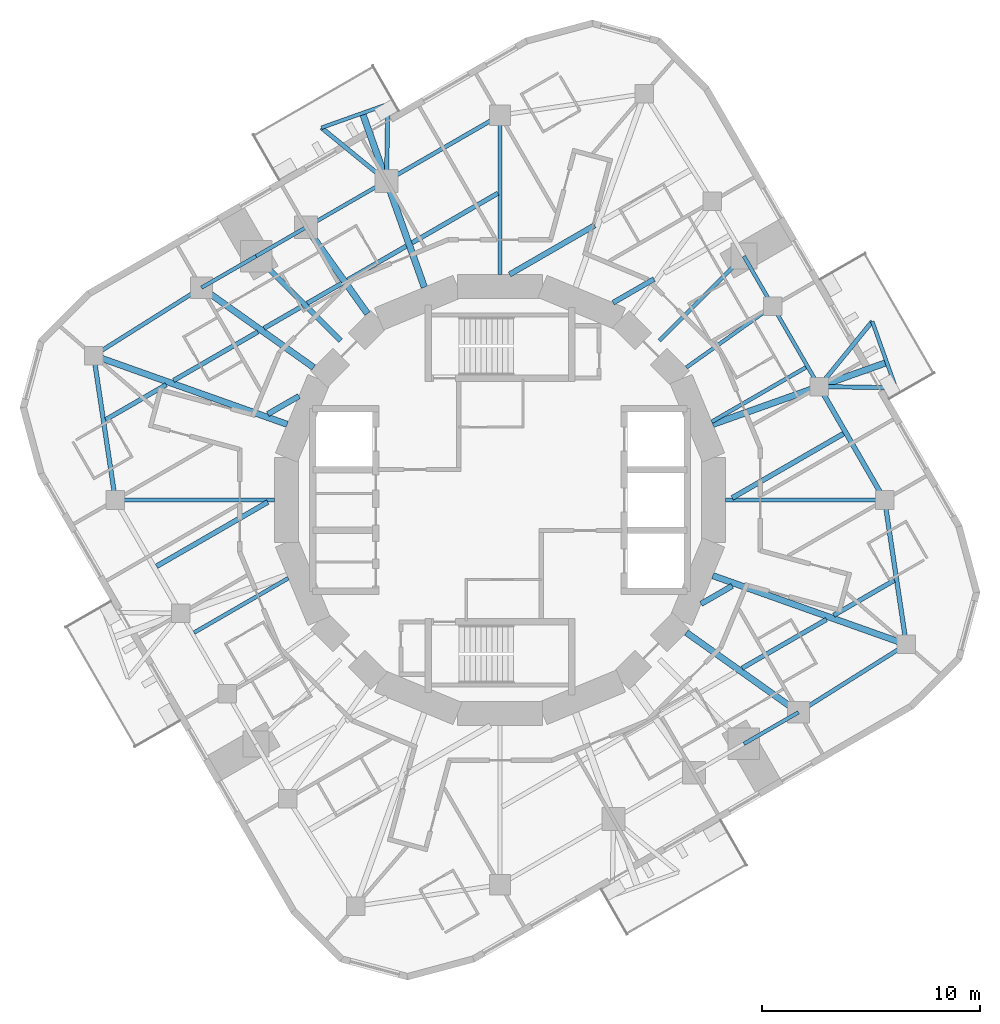
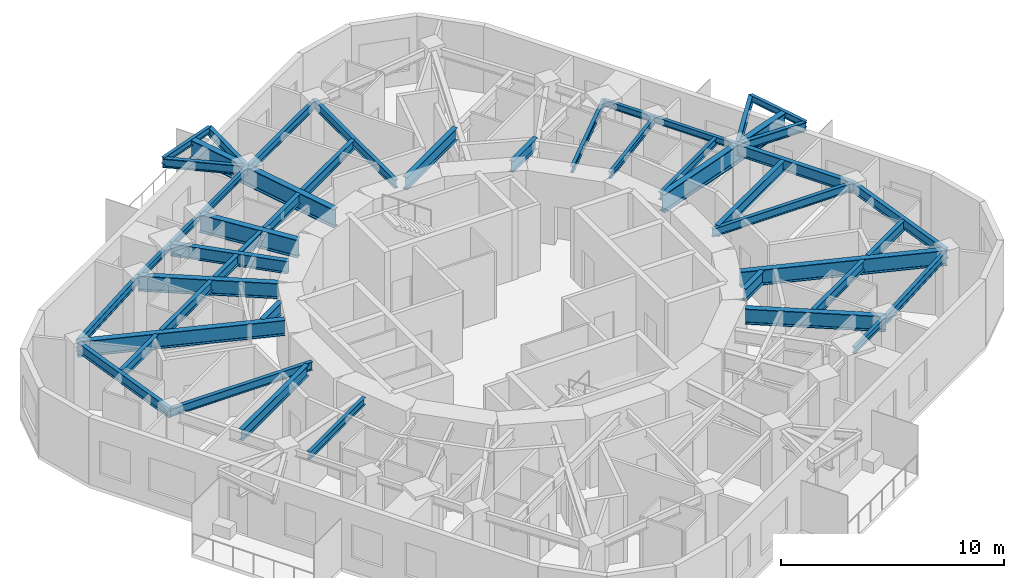
# One storey, part 2 of 11: 47 beams.
"""IFC4 building model written with IfcOpenShell, lengths in metres."""

from ifc_helpers import new_model, si_unit, direction, frame, origin, origin_2d, place, context, subcontext, project, spatial, i_section, extrude, material, material_profile, profile_set, type_object, element, save


model = new_model("IFC4")

# Units and contexts
model_context = context("Model", 3, precision=1e-05, world=origin(), true_north=direction((0.0, 1.0)))
body_context = subcontext(model_context, "Body", "Model", "MODEL_VIEW")
ifc_project = project(units=[si_unit("LENGTHUNIT", "METRE"), si_unit("AREAUNIT", "SQUARE_METRE"), si_unit("VOLUMEUNIT", "CUBIC_METRE"), si_unit("PLANEANGLEUNIT", "RADIAN"), si_unit("MASSUNIT", "GRAM", prefix="KILO")], contexts=[model_context])

# Site, building, storey
site_placement = place(None, origin())
site = spatial("IfcSite", under=ifc_project, at=site_placement, CompositionType="ELEMENT")
building_placement = place(site_placement, origin())
building = spatial("IfcBuilding", under=site, at=building_placement, Name="Nakasero Lantern House", CompositionType="ELEMENT")
storey_placement = place(building_placement, frame((0.0, 0.0, 234.64990234375)))
storey = spatial("IfcBuildingStorey", under=building, at=storey_placement, Name="L57", CompositionType="ELEMENT", Elevation=234.64990234375)

# Beams
ifc_material_1 = material(Name="Steel S355", Category="steel")
ifc_material_profile_1 = material_profile(ifc_material_1, i_section(OverallWidth=0.199462890625, OverallDepth=0.491943359375, WebThickness=0.01806640625, FlangeThickness=0.031982421875, FilletRadius=0.01025390625, at=origin_2d()), Name="UB 457x191x161")
ifc_profile_set_1 = profile_set([ifc_material_profile_1], Name="Steel S355")
beam_type_1 = type_object("IfcBeamType", Name="Balcony splay beam UB 457x191x161", PredefinedType="BEAM", material=ifc_profile_set_1)
beam_1_placement = place(storey_placement, frame((14.657958984375, 5.211669921875, 3.404052734375), z_axis=(0.632127727159, 0.774864205236, 0.0), x_axis=(-0.774864205236, 0.632127727159, 0.0)))
element("IfcBeam", 1, at=beam_1_placement, inside=storey, type_object=beam_type_1, Name="Balcony splay beam L58 B6-C04A", PredefinedType="BEAM", context=body_context, shape_type="SweptSolid", body=[
    extrude(i_section(OverallWidth=0.199462890625, OverallDepth=0.491943359375, WebThickness=0.01806640625, FlangeThickness=0.031982421875, FilletRadius=0.01025390625, at=origin_2d()), origin(), (0.0, 0.0, 1.0), 3.858642578125),
])
beam_2_placement = place(storey_placement, frame((14.657958984375, 5.211669921875, 3.404052734375), z_axis=(0.99985827803, -0.016835196893, 0.0), x_axis=(0.016835196893, 0.99985827803, 0.0)))
element("IfcBeam", 2, at=beam_2_placement, inside=storey, type_object=beam_type_1, Name="Balcony splay beam L58 B6-C04B", PredefinedType="BEAM", context=body_context, shape_type="SweptSolid", body=[
    extrude(i_section(OverallWidth=0.199462890625, OverallDepth=0.491943359375, WebThickness=0.01806640625, FlangeThickness=0.031982421875, FilletRadius=0.01025390625, at=origin_2d()), origin(), (0.0, 0.0, 1.0), 3.52392578125),
])
beam_3_placement = place(storey_placement, frame((-5.211669921875, 14.657958984375, 3.404052734375), z_axis=(-0.774864205236, 0.632127727159, 0.0), x_axis=(-0.632127727159, -0.774864205236, 0.0)))
element("IfcBeam", 3, at=beam_3_placement, inside=storey, type_object=beam_type_1, Name="Balcony splay beam L58 B6-C10A", PredefinedType="BEAM", context=body_context, shape_type="SweptSolid", body=[
    extrude(i_section(OverallWidth=0.199462890625, OverallDepth=0.491943359375, WebThickness=0.01806640625, FlangeThickness=0.031982421875, FilletRadius=0.01025390625, at=origin_2d()), origin(), (0.0, 0.0, 1.0), 3.858642578125),
])
beam_4_placement = place(storey_placement, frame((-5.211669921875, 14.657958984375, 3.404052734375), z_axis=(0.016835196893, 0.99985827803, 0.0), x_axis=(-0.99985827803, 0.016835196893, 0.0)))
element("IfcBeam", 4, at=beam_4_placement, inside=storey, type_object=beam_type_1, Name="Balcony splay beam L58 B6-C10B", PredefinedType="BEAM", context=body_context, shape_type="SweptSolid", body=[
    extrude(i_section(OverallWidth=0.199462890625, OverallDepth=0.491943359375, WebThickness=0.01806640625, FlangeThickness=0.031982421875, FilletRadius=0.01025390625, at=origin_2d()), origin(), (0.0, 0.0, 1.0), 3.52392578125),
])
ifc_material_2 = material(Name="Steel S355", Category="steel")
ifc_material_profile_2 = material_profile(ifc_material_2, i_section(OverallWidth=0.17138671875, OverallDepth=0.35498046875, WebThickness=0.00732421875, FlangeThickness=0.011474609375, FilletRadius=0.01025390625, at=origin_2d()), Name="UB 356x171x51")
ifc_profile_set_2 = profile_set([ifc_material_profile_2], Name="Steel S355")
beam_type_2 = type_object("IfcBeamType", Name="Balcony tie beam UB 356x171x51", PredefinedType="BEAM", material=ifc_profile_set_2)
for number, where, z_axis, x_axis, name in (
    (5, (17.09716796875, 8.20166015625, 3.47265625), (0.335017108852, -0.942212044487, 0.0), (0.942212044487, 0.335017108852, 0.0), "Balcony tie beam L58 B6-C04"),
    (6, (-8.20166015625, 17.09716796875, 3.47265625), (0.942212044487, 0.335017108852, 0.0), (-0.335017108852, 0.942212044487, 0.0), "Balcony tie beam L58 B6-C10"),
):
    element("IfcBeam", number, at=place(storey_placement, frame(where, z_axis=z_axis, x_axis=x_axis)), inside=storey, type_object=beam_type_2, Name=name, PredefinedType="BEAM", context=body_context, shape_type="SweptSolid", body=[
        extrude(i_section(OverallWidth=0.17138671875, OverallDepth=0.35498046875, WebThickness=0.00732421875, FlangeThickness=0.011474609375, FilletRadius=0.01025390625, at=origin_2d()), origin(), (0.0, 0.0, 1.0), 3.236328125),
    ])
ifc_material_3 = material(Name="Steel S355", Category="steel")
ifc_material_profile_3 = material_profile(ifc_material_3, i_section(OverallWidth=0.177978515625, OverallDepth=0.406494140625, WebThickness=0.0078125, FlangeThickness=0.0126953125, FilletRadius=0.01025390625, at=origin_2d()), Name="UB 406x178x60")
ifc_profile_set_3 = profile_set([ifc_material_profile_3], Name="Steel S355")
beam_type_3 = type_object("IfcBeamType", Name="Infill beam UB 406x178x60", PredefinedType="JOIST", material=ifc_profile_set_3)
for number, where, z_axis, x_axis, name in (
    (7, (9.72314453125, 3.5927734375, 3.44677734375), (0.866018808352, 0.500011423449, 0.0), (-0.500011423449, 0.866018808352, 0.0), "Infill beam L58 06.1"),
    (8, (-14.051025390625, -6.091552734375, 3.44677734375), (0.866018808352, 0.500011423449, 0.0), (-0.500011423449, 0.866018808352, 0.0), "Infill beam L58 07.1"),
):
    element("IfcBeam", number, at=place(storey_placement, frame(where, z_axis=z_axis, x_axis=x_axis)), inside=storey, type_object=beam_type_3, Name=name, PredefinedType="JOIST", context=body_context, shape_type="SweptSolid", body=[
        extrude(i_section(OverallWidth=0.177978515625, OverallDepth=0.406494140625, WebThickness=0.0078125, FlangeThickness=0.0126953125, FilletRadius=0.01025390625, at=origin_2d()), origin(), (0.0, 0.0, 1.0), 4.99755859375),
    ])
ifc_material_4 = material(Name="Steel S355", Category="steel")
ifc_material_profile_4 = material_profile(ifc_material_4, i_section(OverallWidth=0.2099609375, OverallDepth=0.53662109375, WebThickness=0.0107421875, FlangeThickness=0.017333984375, FilletRadius=0.0126953125, at=origin_2d()), Name="UB 533x210x101")
ifc_profile_set_4 = profile_set([ifc_material_profile_4], Name="Steel S355")
beam_type_4 = type_object("IfcBeamType", Name="Infill beam UB 533x210x101", PredefinedType="JOIST", material=ifc_profile_set_4)
beam_5_placement = place(storey_placement, frame((11.117431640625, -7.726318359375, 3.3818359375), z_axis=(0.866033989219, 0.499985129296, 0.0), x_axis=(-0.499985129296, 0.866033989219, 0.0)))
element("IfcBeam", 9, at=beam_5_placement, inside=storey, type_object=beam_type_4, Name="Infill beam L58 03.5", PredefinedType="JOIST", context=body_context, shape_type="SweptSolid", body=[
    extrude(i_section(OverallWidth=0.2099609375, OverallDepth=0.53662109375, WebThickness=0.0107421875, FlangeThickness=0.017333984375, FilletRadius=0.0126953125, at=origin_2d()), origin(), (0.0, 0.0, 1.0), 4.478759765625),
])
for number, where, z_axis, x_axis, name in (
    (10, (15.32861328125, -5.294921875, 3.3818359375), (0.866033858845, 0.49998535512, 0.0), (-0.49998535512, 0.866033858845, 0.0), "Infill beam L58 03.6"),
    (11, (-18.11328125, 3.687255859375, 3.3818359375), (0.866033858845, 0.49998535512, 0.0), (-0.49998535512, 0.866033858845, 0.0), "Infill beam L58 10.1"),
):
    element("IfcBeam", number, at=place(storey_placement, frame(where, z_axis=z_axis, x_axis=x_axis)), inside=storey, type_object=beam_type_4, Name=name, PredefinedType="JOIST", context=body_context, shape_type="SweptSolid", body=[
        extrude(i_section(OverallWidth=0.2099609375, OverallDepth=0.53662109375, WebThickness=0.0107421875, FlangeThickness=0.017333984375, FilletRadius=0.0126953125, at=origin_2d()), origin(), (0.0, 0.0, 1.0), 3.21533203125),
    ])
beam_6_placement = place(storey_placement, frame((-14.99609375, 5.487060546875, 3.3818359375), z_axis=(0.866033989219, 0.499985129296, 0.0), x_axis=(-0.499985129296, 0.866033989219, 0.0)))
element("IfcBeam", 12, at=beam_6_placement, inside=storey, type_object=beam_type_4, Name="Infill beam L58 10.2", PredefinedType="JOIST", context=body_context, shape_type="SweptSolid", body=[
    extrude(i_section(OverallWidth=0.2099609375, OverallDepth=0.53662109375, WebThickness=0.0107421875, FlangeThickness=0.017333984375, FilletRadius=0.0126953125, at=origin_2d()), origin(), (0.0, 0.0, 1.0), 4.478759765625),
])
beam_7_placement = place(storey_placement, frame((-10.839111328125, 7.88720703125, 3.3818359375), z_axis=(0.866073420066, 0.499916824138, 0.0), x_axis=(-0.499916824138, 0.866073420066, 0.0)))
element("IfcBeam", 13, at=beam_7_placement, inside=storey, type_object=beam_type_4, Name="Infill beam L58 10.3", PredefinedType="JOIST", context=body_context, shape_type="SweptSolid", body=[
    extrude(i_section(OverallWidth=0.2099609375, OverallDepth=0.53662109375, WebThickness=0.0107421875, FlangeThickness=0.017333984375, FilletRadius=0.0126953125, at=origin_2d()), origin(), (0.0, 0.0, 1.0), 2.029541015625),
])
beam_8_placement = place(storey_placement, frame((-8.85400390625, 9.033203125, 3.3818359375), z_axis=(0.866028611999, 0.499994443168, 0.0), x_axis=(-0.499994443168, 0.866028611999, 0.0)))
element("IfcBeam", 14, at=beam_8_placement, inside=storey, type_object=beam_type_4, Name="Infill beam L58 10.4", PredefinedType="JOIST", context=body_context, shape_type="SweptSolid", body=[
    extrude(i_section(OverallWidth=0.2099609375, OverallDepth=0.53662109375, WebThickness=0.0107421875, FlangeThickness=0.017333984375, FilletRadius=0.0126953125, at=origin_2d()), origin(), (0.0, 0.0, 1.0), 1.8388671875),
])
beam_9_placement = place(storey_placement, frame((-7.00048828125, 10.103271484375, 3.3818359375), z_axis=(0.866018346476, 0.500012223418, 0.0), x_axis=(-0.500012223418, 0.866018346476, 0.0)))
element("IfcBeam", 15, at=beam_9_placement, inside=storey, type_object=beam_type_4, Name="Infill beam L58 10.5", PredefinedType="JOIST", context=body_context, shape_type="SweptSolid", body=[
    extrude(i_section(OverallWidth=0.2099609375, OverallDepth=0.53662109375, WebThickness=0.0107421875, FlangeThickness=0.017333984375, FilletRadius=0.0126953125, at=origin_2d()), origin(), (0.0, 0.0, 1.0), 3.11181640625),
])
beam_10_placement = place(storey_placement, frame((-4.039794921875, 11.812744140625, 3.3818359375), z_axis=(0.866027576455, 0.499996236806, 0.0), x_axis=(-0.499996236806, 0.866027576455, 0.0)))
element("IfcBeam", 16, at=beam_10_placement, inside=storey, type_object=beam_type_4, Name="Infill beam L58 10.6", PredefinedType="JOIST", context=body_context, shape_type="SweptSolid", body=[
    extrude(i_section(OverallWidth=0.2099609375, OverallDepth=0.53662109375, WebThickness=0.0107421875, FlangeThickness=0.017333984375, FilletRadius=0.0126953125, at=origin_2d()), origin(), (0.0, 0.0, 1.0), 4.55419921875),
])
ifc_material_5 = material(Name="Steel S355", Category="steel")
ifc_material_profile_5 = material_profile(ifc_material_5, i_section(OverallWidth=0.22900390625, OverallDepth=0.6123046875, WebThickness=0.011962890625, FlangeThickness=0.01953125, FilletRadius=0.0126953125, at=origin_2d()), Name="UB 610x229x125")
ifc_profile_set_5 = profile_set([ifc_material_profile_5], Name="Steel S355")
beam_type_5 = type_object("IfcBeamType", Name="Infill beam UB 610x229x125", PredefinedType="JOIST", material=ifc_profile_set_5)
for number, where, z_axis, x_axis, name in (
    (17, (10.66455078125, 0.094970703125, 3.343994140625), (0.866025091885, 0.500000540226, 0.0), (-0.500000540226, 0.866025091885, 0.0), "Infill beam L58 05.3"),
    (18, (-15.776123046875, -3.046142578125, 3.343994140625), (0.866025091885, 0.500000540226, 0.0), (-0.500000540226, 0.866025091885, 0.0), "Infill beam L58 08.1"),
):
    element("IfcBeam", number, at=place(storey_placement, frame(where, z_axis=z_axis, x_axis=x_axis)), inside=storey, type_object=beam_type_5, Name=name, PredefinedType="JOIST", context=body_context, shape_type="SweptSolid", body=[
        extrude(i_section(OverallWidth=0.22900390625, OverallDepth=0.6123046875, WebThickness=0.011962890625, FlangeThickness=0.01953125, FilletRadius=0.0126953125, at=origin_2d()), origin(), (0.0, 0.0, 1.0), 5.90234375),
    ])
beam_11_placement = place(storey_placement, frame((5.19287109375, 9.060302734375, 3.343994140625), z_axis=(0.866043427695, 0.499968780372, 0.0), x_axis=(-0.499968780372, 0.866043427695, 0.0)))
element("IfcBeam", 19, at=beam_11_placement, inside=storey, type_object=beam_type_5, Name="Infill beam L58 08.2", PredefinedType="JOIST", context=body_context, shape_type="SweptSolid", body=[
    extrude(i_section(OverallWidth=0.22900390625, OverallDepth=0.6123046875, WebThickness=0.011962890625, FlangeThickness=0.01953125, FilletRadius=0.0126953125, at=origin_2d()), origin(), (0.0, 0.0, 1.0), 2.173583984375),
])
ifc_material_6 = material(Name="Steel S355", Category="steel")
ifc_material_profile_6 = material_profile(ifc_material_6, i_section(OverallWidth=0.253662109375, OverallDepth=0.68359375, WebThickness=0.012451171875, FlangeThickness=0.01904296875, FilletRadius=0.01513671875, at=origin_2d()), Name="UB 686x254x140")
ifc_profile_set_6 = profile_set([ifc_material_profile_6], Name="Steel S355")
beam_type_6 = type_object("IfcBeamType", Name="Infill beam UB 686x254x140", PredefinedType="JOIST", material=ifc_profile_set_6)
for number, where, z_axis, x_axis, name in (
    (20, (9.234619140625, -4.77197265625, 3.308349609375), (0.866050114754, 0.499957196903, 0.0), (-0.499957196903, 0.866050114754, 0.0), "Infill beam L58 04.3"),
    (21, (-10.6640625, 3.94677734375, 3.308349609375), (0.866050114754, 0.499957196903, 0.0), (-0.499957196903, 0.866050114754, 0.0), "Infill beam L58 09.1"),
):
    element("IfcBeam", number, at=place(storey_placement, frame(where, z_axis=z_axis, x_axis=x_axis)), inside=storey, type_object=beam_type_6, Name=name, PredefinedType="JOIST", context=body_context, shape_type="SweptSolid", body=[
        extrude(i_section(OverallWidth=0.253662109375, OverallDepth=0.68359375, WebThickness=0.012451171875, FlangeThickness=0.01904296875, FilletRadius=0.01513671875, at=origin_2d()), origin(), (0.0, 0.0, 1.0), 1.650634765625),
    ])
beam_12_placement = place(storey_placement, frame((0.4404296875, 10.35791015625, 3.308349609375), z_axis=(0.86603787505, 0.499978398512, 0.0), x_axis=(-0.499978398512, 0.86603787505, 0.0)))
element("IfcBeam", 22, at=beam_12_placement, inside=storey, type_object=beam_type_6, Name="Infill beam L58 09.2", PredefinedType="JOIST", context=body_context, shape_type="SweptSolid", body=[
    extrude(i_section(OverallWidth=0.253662109375, OverallDepth=0.68359375, WebThickness=0.012451171875, FlangeThickness=0.01904296875, FilletRadius=0.01513671875, at=origin_2d()), origin(), (0.0, 0.0, 1.0), 4.513916015625),
])
ifc_material_7 = material(Name="Steel S355", Category="steel")
ifc_material_profile_7 = material_profile(ifc_material_7, i_section(OverallWidth=0.300048828125, OverallDepth=0.989990234375, WebThickness=0.0166015625, FlangeThickness=0.031005859375, FilletRadius=0.030029296875, at=origin_2d()), Name="UB 1016x305x272")
ifc_profile_set_7 = profile_set([ifc_material_profile_7], Name="Steel S355")
beam_type_7 = type_object("IfcBeamType", Name="Primary beam UB 1016x305x272, span to 6 m", PredefinedType="BEAM", material=ifc_profile_set_7)
beam_13_placement = place(storey_placement, frame((-8.906494140625, 12.524658203125, 3.155029296875), z_axis=(0.579513415446, -0.814962699342, 0.0), x_axis=(0.814962699342, 0.579513415446, 0.0)))
element("IfcBeam", 23, at=beam_13_placement, inside=storey, type_object=beam_type_7, Name="Primary beam L58 B6-C11", PredefinedType="BEAM", context=body_context, shape_type="SweptSolid", body=[
    extrude(i_section(OverallWidth=0.300048828125, OverallDepth=0.989990234375, WebThickness=0.0166015625, FlangeThickness=0.031005859375, FilletRadius=0.030029296875, at=origin_2d()), origin(), (0.0, 0.0, 1.0), 4.8642578125),
])
ifc_material_8 = material(Name="Steel S355", Category="steel")
ifc_material_profile_8 = material_profile(ifc_material_8, i_section(OverallWidth=0.302001953125, OverallDepth=1.008056640625, WebThickness=0.02099609375, FlangeThickness=0.0400390625, FilletRadius=0.030029296875, at=origin_2d()), Name="UB 1016x305x349")
ifc_profile_set_8 = profile_set([ifc_material_profile_8], Name="Steel S355")
beam_type_8 = type_object("IfcBeamType", Name="Primary beam UB 1016x305x349, span to 6 m", PredefinedType="BEAM", material=ifc_profile_set_8)
for number, where, z_axis, x_axis, name in (
    (24, (17.767333984375, 6.317138671875, 3.14599609375), (-0.94222457875, -0.33498185503, 0.0), (0.33498185503, -0.94222457875, 0.0), "Primary beam L58 B6-C04"),
    (25, (-6.317138671875, 17.767333984375, 3.14599609375), (0.33498185503, -0.94222457875, 0.0), (0.94222457875, 0.33498185503, 0.0), "Primary beam L58 B6-C10"),
):
    element("IfcBeam", number, at=place(storey_placement, frame(where, z_axis=z_axis, x_axis=x_axis)), inside=storey, type_object=beam_type_8, Name=name, PredefinedType="BEAM", context=body_context, shape_type="SweptSolid", body=[
        extrude(i_section(OverallWidth=0.302001953125, OverallDepth=1.008056640625, WebThickness=0.02099609375, FlangeThickness=0.0400390625, FilletRadius=0.030029296875, at=origin_2d()), origin(), (0.0, 0.0, 1.0), 8.485595703125),
    ])
ifc_material_9 = material(Name="Steel S355", Category="steel")
ifc_material_profile_9 = material_profile(ifc_material_9, i_section(OverallWidth=0.17138671875, OverallDepth=0.35498046875, WebThickness=0.00732421875, FlangeThickness=0.011474609375, FilletRadius=0.01025390625, at=origin_2d()), Name="UB 356x171x51")
ifc_profile_set_9 = profile_set([ifc_material_profile_9], Name="Steel S355")
beam_type_9 = type_object("IfcBeamType", Name="Primary beam UB 356x171x51, span to 6 m", PredefinedType="BEAM", material=ifc_profile_set_9)
beam_14_placement = place(storey_placement, frame((12.524658203125, 8.906494140625, 3.47265625), z_axis=(-0.814962699342, -0.579513415446, 0.0), x_axis=(0.579513415446, -0.814962699342, 0.0)))
element("IfcBeam", 26, at=beam_14_placement, inside=storey, type_object=beam_type_9, Name="Primary beam L58 B6-C05", PredefinedType="BEAM", context=body_context, shape_type="SweptSolid", body=[
    extrude(i_section(OverallWidth=0.17138671875, OverallDepth=0.35498046875, WebThickness=0.00732421875, FlangeThickness=0.011474609375, FilletRadius=0.01025390625, at=origin_2d()), origin(), (0.0, 0.0, 1.0), 4.8642578125),
])
beam_15_placement = place(storey_placement, frame((11.200439453125, 11.200439453125, 3.47265625), z_axis=(-0.707106781187, -0.707106781187, 0.0), x_axis=(0.707106781187, -0.707106781187, 0.0)))
element("IfcBeam", 27, at=beam_15_placement, inside=storey, type_object=beam_type_9, Name="Primary beam L58 B6-C06", PredefinedType="BEAM", context=body_context, shape_type="SweptSolid", body=[
    extrude(i_section(OverallWidth=0.17138671875, OverallDepth=0.35498046875, WebThickness=0.00732421875, FlangeThickness=0.011474609375, FilletRadius=0.01025390625, at=origin_2d()), origin(), (0.0, 0.0, 1.0), 5.481689453125),
])
ifc_material_10 = material(Name="Steel S355", Category="steel")
ifc_material_profile_10 = material_profile(ifc_material_10, i_section(OverallWidth=0.18994140625, OverallDepth=0.453369140625, WebThickness=0.008544921875, FlangeThickness=0.0126953125, FilletRadius=0.01025390625, at=origin_2d()), Name="UB 457x191x67")
ifc_profile_set_10 = profile_set([ifc_material_profile_10], Name="Steel S355")
beam_type_10 = type_object("IfcBeamType", Name="Primary beam UB 457x191x67, span 6 to 9 m", PredefinedType="BEAM", material=ifc_profile_set_10)
for number, where, z_axis, x_axis, name in (
    (28, (17.6669921875, 0.0, 3.42333984375), (-1.0, 0.0, 0.0), (0.0, -1.0, 0.0), "Primary beam L58 B6-C03"),
    (29, (-17.6669921875, 0.0, 3.42333984375), (1.0, 0.0, 0.0), (0.0, 1.0, 0.0), "Primary beam L58 B6-C15"),
):
    element("IfcBeam", number, at=place(storey_placement, frame(where, z_axis=z_axis, x_axis=x_axis)), inside=storey, type_object=beam_type_10, Name=name, PredefinedType="BEAM", context=body_context, shape_type="SweptSolid", body=[
        extrude(i_section(OverallWidth=0.18994140625, OverallDepth=0.453369140625, WebThickness=0.008544921875, FlangeThickness=0.0126953125, FilletRadius=0.01025390625, at=origin_2d()), origin(), (0.0, 0.0, 1.0), 7.30908203125),
    ])
ifc_material_11 = material(Name="Steel S355", Category="steel")
ifc_material_profile_11 = material_profile(ifc_material_11, i_section(OverallWidth=0.19140625, OverallDepth=0.4599609375, WebThickness=0.010009765625, FlangeThickness=0.01611328125, FilletRadius=0.01025390625, at=origin_2d()), Name="UB 457x191x82")
ifc_profile_set_11 = profile_set([ifc_material_profile_11], Name="Steel S355")
beam_type_11 = type_object("IfcBeamType", Name="Primary beam UB 457x191x82, span 6 to 9 m", PredefinedType="BEAM", material=ifc_profile_set_11)
beam_16_placement = place(storey_placement, frame((0.0, 17.6669921875, 3.420166015625), z_axis=(0.0, -1.0, 0.0), x_axis=(1.0, 0.0, 0.0)))
element("IfcBeam", 30, at=beam_16_placement, inside=storey, type_object=beam_type_11, Name="Primary beam L58 B6-C09", PredefinedType="BEAM", context=body_context, shape_type="SweptSolid", body=[
    extrude(i_section(OverallWidth=0.19140625, OverallDepth=0.4599609375, WebThickness=0.010009765625, FlangeThickness=0.01611328125, FilletRadius=0.01025390625, at=origin_2d()), origin(), (0.0, 0.0, 1.0), 7.30908203125),
])
ifc_material_12 = material(Name="Steel S355", Category="steel")
ifc_material_profile_12 = material_profile(ifc_material_12, i_section(OverallWidth=0.253662109375, OverallDepth=0.68359375, WebThickness=0.012451171875, FlangeThickness=0.01904296875, FilletRadius=0.01513671875, at=origin_2d()), Name="UB 686x254x140")
ifc_profile_set_12 = profile_set([ifc_material_profile_12], Name="Steel S355")
beam_type_12 = type_object("IfcBeamType", Name="Primary beam UB 686x254x140, span to 6 m", PredefinedType="BEAM", material=ifc_profile_set_12)
beam_17_placement = place(storey_placement, frame((-11.200439453125, 11.200439453125, 3.308349609375), z_axis=(0.707106781187, -0.707106781187, 0.0), x_axis=(0.707106781187, 0.707106781187, 0.0)))
element("IfcBeam", 31, at=beam_17_placement, inside=storey, type_object=beam_type_12, Name="Primary beam L58 B6-C12", PredefinedType="BEAM", context=body_context, shape_type="SweptSolid", body=[
    extrude(i_section(OverallWidth=0.253662109375, OverallDepth=0.68359375, WebThickness=0.012451171875, FlangeThickness=0.01904296875, FilletRadius=0.01513671875, at=origin_2d()), origin(), (0.0, 0.0, 1.0), 5.481689453125),
])
ifc_material_13 = material(Name="Steel S355", Category="steel")
ifc_material_profile_13 = material_profile(ifc_material_13, i_section(OverallWidth=0.29248046875, OverallDepth=0.8408203125, WebThickness=0.0146484375, FlangeThickness=0.02685546875, FilletRadius=0.017822265625, at=origin_2d()), Name="UB 838x292x194")
ifc_profile_set_13 = profile_set([ifc_material_profile_13], Name="Steel S355")
beam_type_13 = type_object("IfcBeamType", Name="Primary beam UB 838x292x194, span 6 to 9 m", PredefinedType="BEAM", material=ifc_profile_set_13)
for number, where, z_axis, x_axis, name in (
    (32, (13.711669921875, -9.75048828125, 3.229736328125), (-0.814968702178, 0.579504973637, 0.0), (-0.579504973637, -0.814968702178, 0.0), "Primary beam L58 B6-C01"),
    (33, (-13.711669921875, 9.75048828125, 3.229736328125), (0.814968702178, -0.579504973637, 0.0), (0.579504973637, 0.814968702178, 0.0), "Primary beam L58 B6-C13"),
):
    element("IfcBeam", number, at=place(storey_placement, frame(where, z_axis=z_axis, x_axis=x_axis)), inside=storey, type_object=beam_type_13, Name=name, PredefinedType="BEAM", context=body_context, shape_type="SweptSolid", body=[
        extrude(i_section(OverallWidth=0.29248046875, OverallDepth=0.8408203125, WebThickness=0.0146484375, FlangeThickness=0.02685546875, FilletRadius=0.017822265625, at=origin_2d()), origin(), (0.0, 0.0, 1.0), 6.320556640625),
    ])
ifc_material_14 = material(Name="Steel S355", Category="steel")
ifc_material_profile_14 = material_profile(ifc_material_14, i_section(OverallWidth=0.29248046875, OverallDepth=0.8408203125, WebThickness=0.0146484375, FlangeThickness=0.02685546875, FilletRadius=0.017822265625, at=origin_2d()), Name="UB 838x292x194")
ifc_profile_set_14 = profile_set([ifc_material_profile_14], Name="Steel S355")
beam_type_14 = type_object("IfcBeamType", Name="Primary beam UB 838x292x194, span 9 to 12 m", PredefinedType="BEAM", material=ifc_profile_set_14)
for number, where, z_axis, x_axis, name in (
    (34, (18.661376953125, -6.63525390625, 3.229736328125), (-0.942215779364, 0.335006604588, 0.0), (-0.335006604588, -0.942215779364, 0.0), "Primary beam L58 B6-C02"),
    (35, (-18.661376953125, 6.63525390625, 3.229736328125), (0.942215779364, -0.335006604588, 0.0), (0.335006604588, 0.942215779364, 0.0), "Primary beam L58 B6-C14"),
):
    element("IfcBeam", number, at=place(storey_placement, frame(where, z_axis=z_axis, x_axis=x_axis)), inside=storey, type_object=beam_type_14, Name=name, PredefinedType="BEAM", context=body_context, shape_type="SweptSolid", body=[
        extrude(i_section(OverallWidth=0.29248046875, OverallDepth=0.8408203125, WebThickness=0.0146484375, FlangeThickness=0.02685546875, FilletRadius=0.017822265625, at=origin_2d()), origin(), (0.0, 0.0, 1.0), 9.4345703125),
    ])
ifc_material_15 = material(Name="Steel S355", Category="steel")
ifc_material_profile_15 = material_profile(ifc_material_15, i_section(OverallWidth=0.17138671875, OverallDepth=0.35498046875, WebThickness=0.00732421875, FlangeThickness=0.011474609375, FilletRadius=0.01025390625, at=origin_2d()), Name="UB 356x171x51")
ifc_profile_set_15 = profile_set([ifc_material_profile_15], Name="Steel S355")
beam_type_15 = type_object("IfcBeamType", Name="Ring beam UB 356x171x51", PredefinedType="BEAM", material=ifc_profile_set_15)
beam_18_placement = place(storey_placement, frame((14.657958984375, 5.211669921875, 3.47265625), z_axis=(-0.500016352561, 0.866015962423, 0.0), x_axis=(-0.866015962423, -0.500016352561, 0.0)))
element("IfcBeam", 36, at=beam_18_placement, inside=storey, type_object=beam_type_15, Name="Ring beam L58 B6-C04", PredefinedType="BEAM", context=body_context, shape_type="SweptSolid", body=[
    extrude(i_section(OverallWidth=0.17138671875, OverallDepth=0.35498046875, WebThickness=0.00732421875, FlangeThickness=0.011474609375, FilletRadius=0.01025390625, at=origin_2d()), origin(), (0.0, 0.0, 1.0), 4.266357421875),
])
beam_19_placement = place(storey_placement, frame((12.524658203125, 8.906494140625, 3.47265625), z_axis=(-0.499945861543, 0.866056658381, 0.0), x_axis=(-0.866056658381, -0.499945861543, 0.0)))
element("IfcBeam", 37, at=beam_19_placement, inside=storey, type_object=beam_type_15, Name="Ring beam L58 B6-C05", PredefinedType="BEAM", context=body_context, shape_type="SweptSolid", body=[
    extrude(i_section(OverallWidth=0.17138671875, OverallDepth=0.35498046875, WebThickness=0.00732421875, FlangeThickness=0.011474609375, FilletRadius=0.01025390625, at=origin_2d()), origin(), (0.0, 0.0, 1.0), 2.648681640625),
])
beam_20_placement = place(storey_placement, frame((-5.211669921875, 14.657958984375, 3.47265625), z_axis=(-0.866015962423, -0.500016352561, 0.0), x_axis=(0.500016352561, -0.866015962423, 0.0)))
element("IfcBeam", 38, at=beam_20_placement, inside=storey, type_object=beam_type_15, Name="Ring beam L58 B6-C10", PredefinedType="BEAM", context=body_context, shape_type="SweptSolid", body=[
    extrude(i_section(OverallWidth=0.17138671875, OverallDepth=0.35498046875, WebThickness=0.00732421875, FlangeThickness=0.011474609375, FilletRadius=0.01025390625, at=origin_2d()), origin(), (0.0, 0.0, 1.0), 4.266357421875),
])
beam_21_placement = place(storey_placement, frame((-8.906494140625, 12.524658203125, 3.47265625), z_axis=(-0.866056658381, -0.499945861543, 0.0), x_axis=(0.499945861543, -0.866056658381, 0.0)))
element("IfcBeam", 39, at=beam_21_placement, inside=storey, type_object=beam_type_15, Name="Ring beam L58 B6-C11", PredefinedType="BEAM", context=body_context, shape_type="SweptSolid", body=[
    extrude(i_section(OverallWidth=0.17138671875, OverallDepth=0.35498046875, WebThickness=0.00732421875, FlangeThickness=0.011474609375, FilletRadius=0.01025390625, at=origin_2d()), origin(), (0.0, 0.0, 1.0), 2.648681640625),
])
for number, where, z_axis, x_axis, name in (
    (40, (-11.200439453125, 11.200439453125, 3.47265625), (-0.866011727401, -0.500023687443, 0.0), (0.500023687443, -0.866011727401, 0.0), "Ring beam L58 B6-C12"),
    (41, (11.200439453125, -11.200439453125, 3.47265625), (0.866011727401, 0.500023687443, 0.0), (-0.500023687443, 0.866011727401, 0.0), "Ring beam L58 B6-C24"),
):
    element("IfcBeam", number, at=place(storey_placement, frame(where, z_axis=z_axis, x_axis=x_axis)), inside=storey, type_object=beam_type_15, Name=name, PredefinedType="BEAM", context=body_context, shape_type="SweptSolid", body=[
        extrude(i_section(OverallWidth=0.17138671875, OverallDepth=0.35498046875, WebThickness=0.00732421875, FlangeThickness=0.011474609375, FilletRadius=0.01025390625, at=origin_2d()), origin(), (0.0, 0.0, 1.0), 2.899658203125),
    ])
ifc_material_16 = material(Name="Steel S355", Category="steel")
ifc_material_profile_16 = material_profile(ifc_material_16, i_section(OverallWidth=0.18994140625, OverallDepth=0.453369140625, WebThickness=0.008544921875, FlangeThickness=0.0126953125, FilletRadius=0.01025390625, at=origin_2d()), Name="UB 457x191x67")
ifc_profile_set_16 = profile_set([ifc_material_profile_16], Name="Steel S355")
beam_type_16 = type_object("IfcBeamType", Name="Ring beam UB 457x191x67", PredefinedType="BEAM", material=ifc_profile_set_16)
beam_22_placement = place(storey_placement, frame((13.711669921875, -9.75048828125, 3.42333984375), z_axis=(0.846329027393, 0.532660471024, 0.0), x_axis=(-0.532660471024, 0.846329027393, 0.0)))
element("IfcBeam", 42, at=beam_22_placement, inside=storey, type_object=beam_type_16, Name="Ring beam L58 B6-C01", PredefinedType="BEAM", context=body_context, shape_type="SweptSolid", body=[
    extrude(i_section(OverallWidth=0.18994140625, OverallDepth=0.453369140625, WebThickness=0.008544921875, FlangeThickness=0.0126953125, FilletRadius=0.01025390625, at=origin_2d()), origin(), (0.0, 0.0, 1.0), 5.848388671875),
])
beam_23_placement = place(storey_placement, frame((0.0, 17.6669921875, 3.42333984375), z_axis=(-0.866020066889, -0.50000924366, 0.0), x_axis=(0.50000924366, -0.866020066889, 0.0)))
element("IfcBeam", 43, at=beam_23_placement, inside=storey, type_object=beam_type_16, Name="Ring beam L58 B6-C09", PredefinedType="BEAM", context=body_context, shape_type="SweptSolid", body=[
    extrude(i_section(OverallWidth=0.18994140625, OverallDepth=0.453369140625, WebThickness=0.008544921875, FlangeThickness=0.0126953125, FilletRadius=0.01025390625, at=origin_2d()), origin(), (0.0, 0.0, 1.0), 6.01806640625),
])
beam_24_placement = place(storey_placement, frame((-13.711669921875, 9.75048828125, 3.42333984375), z_axis=(-0.846329027393, -0.532660471024, 0.0), x_axis=(0.532660471024, -0.846329027393, 0.0)))
element("IfcBeam", 44, at=beam_24_placement, inside=storey, type_object=beam_type_16, Name="Ring beam L58 B6-C13", PredefinedType="BEAM", context=body_context, shape_type="SweptSolid", body=[
    extrude(i_section(OverallWidth=0.18994140625, OverallDepth=0.453369140625, WebThickness=0.008544921875, FlangeThickness=0.0126953125, FilletRadius=0.01025390625, at=origin_2d()), origin(), (0.0, 0.0, 1.0), 5.848388671875),
])
ifc_material_17 = material(Name="Steel S355", Category="steel")
ifc_material_profile_17 = material_profile(ifc_material_17, i_section(OverallWidth=0.2099609375, OverallDepth=0.53662109375, WebThickness=0.0107421875, FlangeThickness=0.017333984375, FilletRadius=0.0126953125, at=origin_2d()), Name="UB 533x210x101")
ifc_profile_set_17 = profile_set([ifc_material_profile_17], Name="Steel S355")
beam_type_17 = type_object("IfcBeamType", Name="Ring beam UB 533x210x101", PredefinedType="BEAM", material=ifc_profile_set_17)
for number, where, z_axis, x_axis, name in (
    (45, (18.661376953125, -6.63525390625, 3.3818359375), (-0.148208778253, 0.988956095107, 0.0), (-0.988956095107, -0.148208778253, 0.0), "Ring beam L58 B6-C02"),
    (46, (-18.661376953125, 6.63525390625, 3.3818359375), (0.148208778253, -0.988956095107, 0.0), (0.988956095107, 0.148208778253, 0.0), "Ring beam L58 B6-C14"),
):
    element("IfcBeam", number, at=place(storey_placement, frame(where, z_axis=z_axis, x_axis=x_axis)), inside=storey, type_object=beam_type_17, Name=name, PredefinedType="BEAM", context=body_context, shape_type="SweptSolid", body=[
        extrude(i_section(OverallWidth=0.2099609375, OverallDepth=0.53662109375, WebThickness=0.0107421875, FlangeThickness=0.017333984375, FilletRadius=0.0126953125, at=origin_2d()), origin(), (0.0, 0.0, 1.0), 6.70947265625),
    ])
ifc_material_18 = material(Name="Steel S355", Category="steel")
ifc_material_profile_18 = material_profile(ifc_material_18, i_section(OverallWidth=0.22900390625, OverallDepth=0.6123046875, WebThickness=0.011962890625, FlangeThickness=0.01953125, FilletRadius=0.0126953125, at=origin_2d()), Name="UB 610x229x125")
ifc_profile_set_18 = profile_set([ifc_material_profile_18], Name="Steel S355")
beam_type_18 = type_object("IfcBeamType", Name="Ring beam UB 610x229x125", PredefinedType="BEAM", material=ifc_profile_set_18)
beam_25_placement = place(storey_placement, frame((17.6669921875, 0.0, 3.343994140625), z_axis=(-0.50000924366, 0.866020066889, 0.0), x_axis=(-0.866020066889, -0.50000924366, 0.0)))
element("IfcBeam", 47, at=beam_25_placement, inside=storey, type_object=beam_type_18, Name="Ring beam L58 B6-C03", PredefinedType="BEAM", context=body_context, shape_type="SweptSolid", body=[
    extrude(i_section(OverallWidth=0.22900390625, OverallDepth=0.6123046875, WebThickness=0.011962890625, FlangeThickness=0.01953125, FilletRadius=0.0126953125, at=origin_2d()), origin(), (0.0, 0.0, 1.0), 6.01806640625),
])

save(model, "model.ifc")
